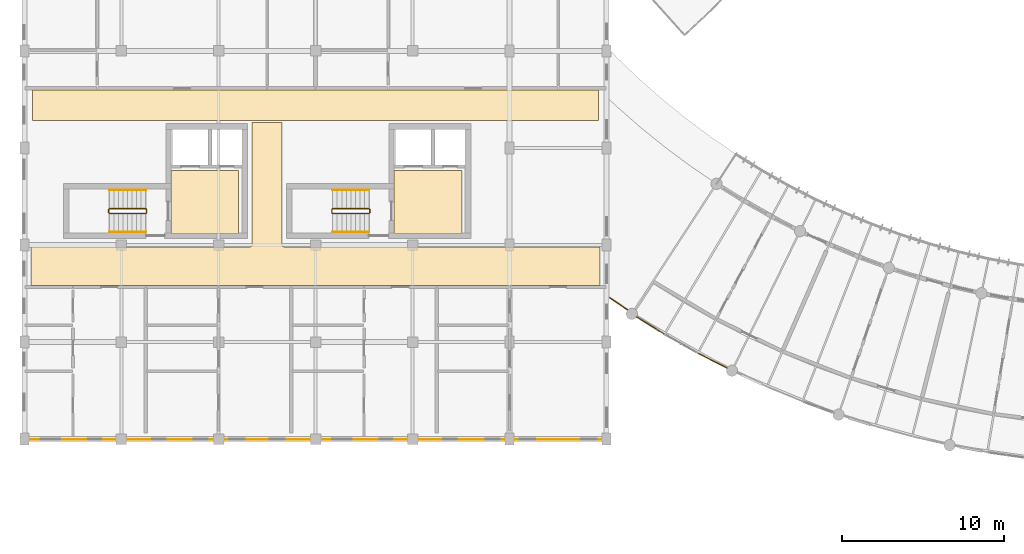
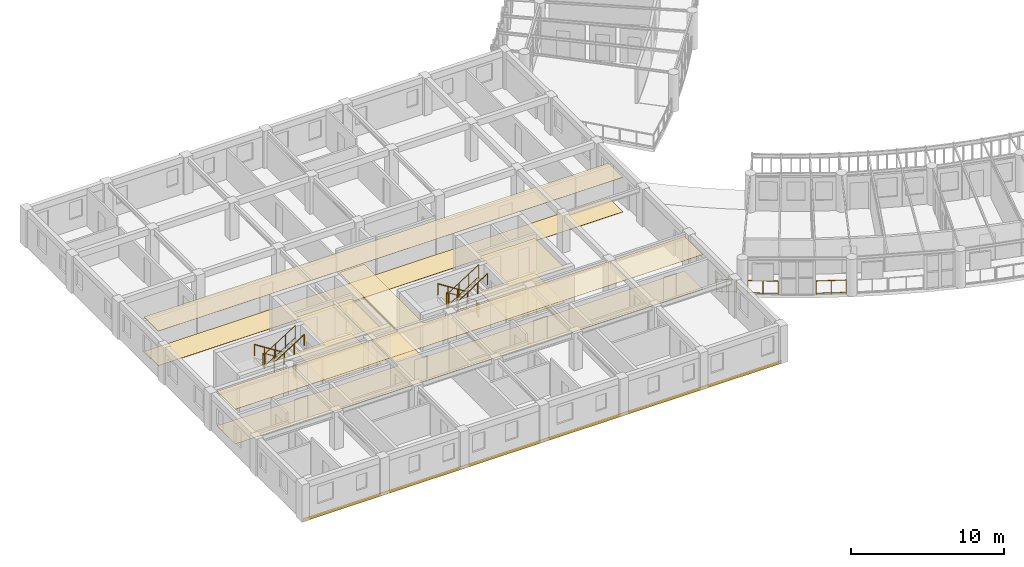
# One storey, part 88 of 100: 15 railings, 9 coverings.
"""IFC4 building model written with IfcOpenShell, lengths in metres."""

import ifcopenshell
import ifcopenshell.guid

model = None  # the IFC model being written
_history = None  # IfcOwnerHistory: only IFC2X3 demands one
_inside = {}  # id of a spatial element -> (the spatial element, [elements in it])
_under = {}  # id of a project, library or spatial element -> (it, [spatial elements below it])
_declared = {}  # id of a project -> (the project, [libraries it declares])
_typed = {}  # id of a type object -> (the type object, [elements of that type])
_made_of = {}  # id of a material, layer set ... -> (it, [elements and type objects made of it])


def new_model(schema):
    """Start an empty IFC model of exactly this schema.

    Asked for "IFC4X3", IfcOpenShell would pick the latest addendum, in which some entities
    have other attributes; the version numbers below select the first issue.
    IFC2X3 requires an IfcOwnerHistory on every rooted entity: one is made here for all.
    """
    global model, _history
    if schema == "IFC4X3":
        model = ifcopenshell.file(schema_version=(4, 3, 0, 0))
    else:
        model = ifcopenshell.file(schema=schema)
    _inside.clear()
    _under.clear()
    _declared.clear()
    _typed.clear()
    _made_of.clear()
    _history = None
    if model.schema == "IFC2X3":
        org = make("IfcOrganization", Name="unknown")
        user = make(
            "IfcPersonAndOrganization",
            ThePerson=make("IfcPerson", FamilyName="unknown"),
            TheOrganization=org,
        )
        app = make(
            "IfcApplication",
            ApplicationDeveloper=org,
            Version="unknown",
            ApplicationFullName="unknown",
            ApplicationIdentifier="unknown",
        )
        _history = make(
            "IfcOwnerHistory",
            OwningUser=user,
            OwningApplication=app,
            ChangeAction="ADDED",
            CreationDate=0,
        )
    return model


def make(cls, **values):
    """One entity of the class cls with the attributes given. An attribute that is None is left unset."""
    return model.create_entity(
        cls, **{name: value for name, value in values.items() if value is not None}
    )


def rooted(cls, **values):
    """An entity with a GlobalId (a new one), such as an element, a storey or a relation."""
    return make(cls, GlobalId=ifcopenshell.guid.new(), OwnerHistory=_history, **values)


def si_unit(unit_type, name, prefix=None):
    """IfcSIUnit, for example si_unit("LENGTHUNIT", "METRE", prefix="MILLI")."""
    return make("IfcSIUnit", UnitType=unit_type, Prefix=prefix, Name=name)


def assignment(units):
    """IfcUnitAssignment: the units of a project."""
    return None if units is None else make("IfcUnitAssignment", Units=units)


def point(xyz):
    """IfcCartesianPoint."""
    return None if xyz is None else make("IfcCartesianPoint", Coordinates=xyz)


def direction(xyz):
    """IfcDirection."""
    return None if xyz is None else make("IfcDirection", DirectionRatios=xyz)


def frame(location, z_axis=None, x_axis=None):
    """IfcAxis2Placement3D, a coordinate frame: its origin and axes. An axis left out is left unset."""
    return make(
        "IfcAxis2Placement3D",
        Location=point(location),
        Axis=direction(z_axis),
        RefDirection=direction(x_axis),
    )


def frame_2d(location, x_axis=None):
    """IfcAxis2Placement2D, a coordinate frame in the plane: its origin and x axis."""
    return make(
        "IfcAxis2Placement2D", Location=point(location), RefDirection=direction(x_axis)
    )


def origin():
    """The frame at (0, 0, 0) with its axes left unset."""
    return frame((0.0, 0.0, 0.0))


def origin_2d():
    """The frame at (0, 0) in the plane with its x axis left unset."""
    return frame_2d((0.0, 0.0))


def place(relative_to, where):
    """IfcLocalPlacement: puts the frame where relative to a parent placement (None: the world)."""
    return make(
        "IfcLocalPlacement", PlacementRelTo=relative_to, RelativePlacement=where
    )


def context(
    kind, dimensions, precision=None, world=None, true_north=None, identifier=None
):
    """IfcGeometricRepresentationContext, for example the 3D "Model" context."""
    return make(
        "IfcGeometricRepresentationContext",
        ContextIdentifier=identifier,
        ContextType=kind,
        CoordinateSpaceDimension=dimensions,
        Precision=precision,
        WorldCoordinateSystem=world,
        TrueNorth=true_north,
    )


def subcontext(parent, identifier, kind, view, scale=None):
    """IfcGeometricRepresentationSubContext, for example "Body" below "Model"."""
    return make(
        "IfcGeometricRepresentationSubContext",
        ContextIdentifier=identifier,
        ContextType=kind,
        ParentContext=parent,
        TargetScale=scale,
        TargetView=view,
    )


def project(units=None, contexts=None):
    """IfcProject with its units and contexts."""
    return rooted(
        "IfcProject",
        Name="project",
        RepresentationContexts=contexts,
        UnitsInContext=assignment(units),
    )


def spatial(cls, under=None, at=None, **own):
    """A site, building, storey or space (cls), placed at a placement, below another one or the project."""
    s = rooted(cls, ObjectPlacement=at, **own)
    if under is not None:
        _under.setdefault(under.id(), (under, []))[1].append(s)
    return s


def polyline(points):
    """IfcPolyline through the points."""
    return make("IfcPolyline", Points=[point(p) for p in points])


def profile(cls, at=None, kind="AREA", **sizes):
    """A parametric profile (cls). Its sizes go by their IFC names, for example OverallWidth=200.0."""
    return make(cls, ProfileType=kind, Position=at, **sizes)


def circle(**sizes):
    """IfcCircleProfileDef."""
    return profile("IfcCircleProfileDef", **sizes)


def outline(outer, holes=None, kind="AREA"):
    """IfcArbitraryClosedProfileDef: a profile drawn as a closed curve; with holes, ...WithVoids."""
    if holes is None:
        return make("IfcArbitraryClosedProfileDef", ProfileType=kind, OuterCurve=outer)
    return make(
        "IfcArbitraryProfileDefWithVoids",
        ProfileType=kind,
        OuterCurve=outer,
        InnerCurves=holes,
    )


def extrude(swept, where, along, depth):
    """IfcExtrudedAreaSolid: the profile swept, set in the frame where, extruded along a direction by depth."""
    return make(
        "IfcExtrudedAreaSolid",
        SweptArea=swept,
        Position=where,
        ExtrudedDirection=direction(along),
        Depth=depth,
    )


def shape(context_of_items, identifier, shape_type, items):
    """IfcShapeRepresentation: the items that make up one representation, for example the "Body"."""
    return make(
        "IfcShapeRepresentation",
        ContextOfItems=context_of_items,
        RepresentationIdentifier=identifier,
        RepresentationType=shape_type,
        Items=items,
    )


def material(Name=None, Category=None):
    """IfcMaterial."""
    return make("IfcMaterial", Name=Name, Category=Category)


def layer(
    of_material, thickness, ventilated=None, Name=None, Category=None, Priority=None
):
    """IfcMaterialLayer: one layer of a wall or slab, of a material (None: an air gap)."""
    return make(
        "IfcMaterialLayer",
        Material=of_material,
        LayerThickness=thickness,
        IsVentilated=ventilated,
        Name=Name,
        Category=Category,
        Priority=Priority,
    )


def layer_set(layers, Name=None):
    """IfcMaterialLayerSet."""
    return make("IfcMaterialLayerSet", MaterialLayers=layers, LayerSetName=Name)


def made_of(thing, what):
    """Note that an element or type object is made of a material, layer set ...; save() writes the relation."""
    if what is not None:
        _made_of.setdefault(what.id(), (what, []))[1].append(thing)
    return thing


def type_object(cls, material=None, **own):
    """A type object (cls), such as IfcWallType, which elements share."""
    return made_of(rooted(cls, **own), material)


def element(
    cls,
    number,
    at=None,
    inside=None,
    cuts=None,
    type_object=None,
    material=None,
    context=None,
    identifier="Body",
    shape_type=None,
    held_by="IfcProductDefinitionShape",
    body=None,
    shapes=None,
    **own,
):
    """One element of the class cls, such as IfcWall. Its Tag is "e" and its number.

    at: its placement. inside: the storey or other place that contains it. cuts: it is an
    opening in that element (IfcRelVoidsElement). A single representation is given by context,
    identifier, shape_type and body (its items); several are given by shapes. held_by: the class
    of the entity that holds the representations. save() writes the other relations.
    """
    e = rooted(cls, Tag="e%d" % number, ObjectPlacement=at, **own)
    if body is not None:
        shapes = [shape(context, identifier, shape_type, body)]
    if shapes is not None:
        e.Representation = make(held_by, Representations=shapes)
    if inside is not None:
        _inside.setdefault(inside.id(), (inside, []))[1].append(e)
    if cuts is not None:
        rooted(
            "IfcRelVoidsElement", RelatingBuildingElement=cuts, RelatedOpeningElement=e
        )
    if type_object is not None:
        _typed.setdefault(type_object.id(), (type_object, []))[1].append(e)
    return made_of(e, material)


def aggregate(whole, parts):
    """IfcRelAggregates: a whole, such as a stair, and the parts it consists of."""
    return rooted("IfcRelAggregates", RelatingObject=whole, RelatedObjects=parts)


def save(model, path):
    """Write the relations noted so far, then the file.

    IfcRelAggregates (storeys below a building ...), IfcRelContainedInSpatialStructure (elements
    in a storey), IfcRelDefinesByType, IfcRelAssociatesMaterial and IfcRelDeclares: one each for
    every whole, place, type object, material and project.
    """
    for whole, parts in _under.values():
        aggregate(whole, parts)
    for where, things in _inside.values():
        rooted(
            "IfcRelContainedInSpatialStructure",
            RelatedElements=things,
            RelatingStructure=where,
        )
    for kind, things in _typed.values():
        rooted("IfcRelDefinesByType", RelatedObjects=things, RelatingType=kind)
    for what, things in _made_of.values():
        rooted("IfcRelAssociatesMaterial", RelatedObjects=things, RelatingMaterial=what)
    for by, libraries in _declared.values():
        rooted("IfcRelDeclares", RelatingContext=by, RelatedDefinitions=libraries)
    model.write(path)


model = new_model("IFC4")

# Units and contexts
model_context = context("Model", 3, precision=1e-05, world=origin(), true_north=direction((0.0, 1.0)))
body_context = subcontext(model_context, "Body", "Model", "MODEL_VIEW")
ifc_project = project(units=[si_unit("LENGTHUNIT", "METRE"), si_unit("AREAUNIT", "SQUARE_METRE"), si_unit("VOLUMEUNIT", "CUBIC_METRE"), si_unit("PLANEANGLEUNIT", "RADIAN"), si_unit("MASSUNIT", "GRAM", prefix="KILO"), si_unit("POWERUNIT", "WATT"), si_unit("THERMODYNAMICTEMPERATUREUNIT", "KELVIN")], contexts=[model_context])

# Site, building, storey
site_placement = place(None, origin())
site = spatial("IfcSite", under=ifc_project, at=site_placement, CompositionType="ELEMENT")
building_placement = place(site_placement, origin())
building = spatial("IfcBuilding", under=site, at=building_placement, Name="Ruvembo Vaulted Housing Court", CompositionType="ELEMENT")
storey_placement = place(building_placement, frame((0.0, 0.0, 10.89990234375)))
storey = spatial("IfcBuildingStorey", under=building, at=storey_placement, Name="L03", CompositionType="ELEMENT", Elevation=10.89990234375)

# Coverings
ifc_material_1 = material(Name="Perforated Mineral-Fibre Acoustic Tile", Category="gypsum")
ifc_layer_1 = layer(ifc_material_1, 0.02001953125, Name="Perforated Mineral-Fibre Acoustic Tile")
ifc_layer_set_1 = layer_set([ifc_layer_1], Name="Perforated Mineral-Fibre Acoustic Tile")
covering_type_1 = type_object("IfcCoveringType", Name="COV-CEIL-ACOUST", PredefinedType="CEILING", material=ifc_layer_set_1)
covering_1_placement = place(storey_placement, frame((0.0, 0.0, 2.75)))
element("IfcCovering", 1, at=covering_1_placement, inside=storey, type_object=covering_type_1, Name="Firefighting Lift Lobby A1 Ceiling", PredefinedType="CEILING", context=body_context, shape_type="SweptSolid", body=[
    extrude(outline(polyline([(13.25, 22.60009765625), (9.050048828125, 22.60009765625), (9.050048828125, 18.699951171875), (13.25, 18.699951171875), (13.25, 22.60009765625)])), origin(), (0.0, 0.0, 1.0), 0.02001953125),
])
covering_2_placement = place(storey_placement, frame((0.0, 0.0, 2.75)))
element("IfcCovering", 2, at=covering_2_placement, inside=storey, type_object=covering_type_1, Name="Firefighting Lift Lobby A2 Ceiling", PredefinedType="CEILING", context=body_context, shape_type="SweptSolid", body=[
    extrude(outline(polyline([(27.050048828125, 22.60009765625), (22.85009765625, 22.60009765625), (22.85009765625, 18.699951171875), (27.050048828125, 18.699951171875), (27.050048828125, 22.60009765625)])), origin(), (0.0, 0.0, 1.0), 0.02001953125),
])
covering_3_placement = place(storey_placement, frame((0.0, 0.0, 2.75)))
element("IfcCovering", 3, at=covering_3_placement, inside=storey, type_object=covering_type_1, Name="Block A L03 Corridor Ceiling", PredefinedType="CEILING", context=body_context, shape_type="SweptSolid", body=[
    extrude(outline(polyline([(35.590087890625, 15.510009765625), (35.590087890625, 17.889892578125), (16.050048828125, 17.889892578125), (16.039306640625, 17.890380859375), (16.028564453125, 17.89208984375), (16.01806640625, 17.894775390625), (16.0078125, 17.8984375), (15.998046875, 17.903076171875), (15.989013671875, 17.908447265625), (15.980224609375, 17.9150390625), (15.97216796875, 17.922119140625), (15.965087890625, 17.93017578125), (15.95849609375, 17.93896484375), (15.952880859375, 17.947998046875), (15.948486328125, 17.9580078125), (15.944580078125, 17.968017578125), (15.942138671875, 17.978515625), (15.9404296875, 17.9892578125), (15.93994140625, 18.0), (15.93994140625, 25.590087890625), (14.06005859375, 25.590087890625), (14.06005859375, 18.0), (14.0595703125, 17.9892578125), (14.057861328125, 17.978515625), (14.055419921875, 17.968017578125), (14.051513671875, 17.9580078125), (14.047119140625, 17.947998046875), (14.04150390625, 17.93896484375), (14.034912109375, 17.93017578125), (14.02783203125, 17.922119140625), (14.019775390625, 17.9150390625), (14.010986328125, 17.908447265625), (14.001953125, 17.903076171875), (13.9921875, 17.8984375), (13.98193359375, 17.894775390625), (13.971435546875, 17.89208984375), (13.960693359375, 17.890380859375), (13.949951171875, 17.889892578125), (0.409912109375, 17.889892578125), (0.409912109375, 15.510009765625), (35.590087890625, 15.510009765625)])), origin(), (0.0, 0.0, 1.0), 0.02001953125),
])
covering_4_placement = place(storey_placement, frame((0.0, 0.0, 2.75)))
element("IfcCovering", 4, at=covering_4_placement, inside=storey, type_object=covering_type_1, Name="Block A L03 North Sub-Corridor Ceiling", PredefinedType="CEILING", context=body_context, shape_type="SweptSolid", body=[
    extrude(outline(polyline([(0.510009765625, 25.7099609375), (35.489990234375, 25.7099609375), (35.489990234375, 27.590087890625), (0.510009765625, 27.590087890625), (0.510009765625, 25.7099609375)])), origin(), (0.0, 0.0, 1.0), 0.02001953125),
])
ifc_material_2 = material(Name="Lime-Cement Mineral Render", Category="plaster")
ifc_layer_2 = layer(ifc_material_2, 0.02490234375, Name="Lime-Cement Mineral Render")
ifc_layer_set_2 = layer_set([ifc_layer_2], Name="Lime-Cement Mineral Render")
covering_type_2 = type_object("IfcCoveringType", Name="COV-CLAD-RENDER", PredefinedType="CLADDING", material=ifc_layer_set_2)
covering_5_placement = place(storey_placement, frame((0.0, 0.0, -0.25)))
element("IfcCovering", 5, at=covering_5_placement, inside=storey, type_object=covering_type_2, Name="Block A L03 Mineral Render Fascia Band", PredefinedType="CLADDING", context=body_context, shape_type="SweptSolid", body=[
    extrude(outline(polyline([(0.0, 5.969970703125), (36.0, 5.969970703125), (36.0, 6.0), (0.0, 6.0), (0.0, 5.969970703125)])), origin(), (0.0, 0.0, 1.0), 0.25),
])
ifc_material_3 = material(Name="Polished Cement-Aggregate Terrazzo", Category="stone")
ifc_layer_3 = layer(ifc_material_3, 0.02197265625, Name="Polished Cement-Aggregate Terrazzo")
ifc_layer_set_3 = layer_set([ifc_layer_3], Name="Polished Cement-Aggregate Terrazzo")
covering_type_3 = type_object("IfcCoveringType", Name="COV-FLR-CERAMIC", PredefinedType="FLOORING", material=ifc_layer_set_3)
covering_6_placement = place(storey_placement, origin())
element("IfcCovering", 6, at=covering_6_placement, inside=storey, type_object=covering_type_3, Name="Firefighting Lift Lobby A1 Flooring", PredefinedType="FLOORING", context=body_context, shape_type="SweptSolid", body=[
    extrude(outline(polyline([(13.25, 22.60009765625), (9.050048828125, 22.60009765625), (9.050048828125, 18.699951171875), (13.25, 18.699951171875), (13.25, 22.60009765625)])), origin(), (0.0, 0.0, 1.0), 0.022216796875),
])
covering_7_placement = place(storey_placement, origin())
element("IfcCovering", 7, at=covering_7_placement, inside=storey, type_object=covering_type_3, Name="Firefighting Lift Lobby A2 Flooring", PredefinedType="FLOORING", context=body_context, shape_type="SweptSolid", body=[
    extrude(outline(polyline([(27.050048828125, 22.60009765625), (22.85009765625, 22.60009765625), (22.85009765625, 18.699951171875), (27.050048828125, 18.699951171875), (27.050048828125, 22.60009765625)])), origin(), (0.0, 0.0, 1.0), 0.022216796875),
])
covering_8_placement = place(storey_placement, origin())
element("IfcCovering", 8, at=covering_8_placement, inside=storey, type_object=covering_type_3, Name="Block A L03 Corridor Flooring", PredefinedType="FLOORING", context=body_context, shape_type="SweptSolid", body=[
    extrude(outline(polyline([(35.590087890625, 15.510009765625), (35.590087890625, 17.889892578125), (16.050048828125, 17.889892578125), (16.039306640625, 17.890380859375), (16.028564453125, 17.89208984375), (16.01806640625, 17.894775390625), (16.0078125, 17.8984375), (15.998046875, 17.903076171875), (15.989013671875, 17.908447265625), (15.980224609375, 17.9150390625), (15.97216796875, 17.922119140625), (15.965087890625, 17.93017578125), (15.95849609375, 17.93896484375), (15.952880859375, 17.947998046875), (15.948486328125, 17.9580078125), (15.944580078125, 17.968017578125), (15.942138671875, 17.978515625), (15.9404296875, 17.9892578125), (15.93994140625, 18.0), (15.93994140625, 25.590087890625), (14.06005859375, 25.590087890625), (14.06005859375, 18.0), (14.0595703125, 17.9892578125), (14.057861328125, 17.978515625), (14.055419921875, 17.968017578125), (14.051513671875, 17.9580078125), (14.047119140625, 17.947998046875), (14.04150390625, 17.93896484375), (14.034912109375, 17.93017578125), (14.02783203125, 17.922119140625), (14.019775390625, 17.9150390625), (14.010986328125, 17.908447265625), (14.001953125, 17.903076171875), (13.9921875, 17.8984375), (13.98193359375, 17.894775390625), (13.971435546875, 17.89208984375), (13.960693359375, 17.890380859375), (13.949951171875, 17.889892578125), (0.409912109375, 17.889892578125), (0.409912109375, 15.510009765625), (35.590087890625, 15.510009765625)])), origin(), (0.0, 0.0, 1.0), 0.022216796875),
])
covering_9_placement = place(storey_placement, origin())
element("IfcCovering", 9, at=covering_9_placement, inside=storey, type_object=covering_type_3, Name="Block A L03 North Sub-Corridor Flooring", PredefinedType="FLOORING", context=body_context, shape_type="SweptSolid", body=[
    extrude(outline(polyline([(0.510009765625, 25.7099609375), (35.489990234375, 25.7099609375), (35.489990234375, 27.590087890625), (0.510009765625, 27.590087890625), (0.510009765625, 25.7099609375)])), origin(), (0.0, 0.0, 1.0), 0.022216796875),
])

# Railings
ifc_material_4 = material(Name="Galvanised Painted Steel and Laminated Glass", Category="steel")
ifc_layer_4 = layer(ifc_material_4, 0.070068359375, Name="Galvanised Painted Steel and Laminated Glass")
ifc_layer_set_4 = layer_set([ifc_layer_4], Name="Galvanised Painted Steel and Laminated Glass")
railing_type_1 = type_object("IfcRailingType", Name="RL-BALUST-1120", PredefinedType="BALUSTRADE", material=ifc_layer_set_4)
railing_1_placement = place(storey_placement, frame((37.849365234375, 13.557373046875, 0.0)))
element("IfcRailing", 10, at=railing_1_placement, inside=storey, type_object=railing_type_1, Name="L03 Perimeter Guard RL-EXT-L03-0370", PredefinedType="BALUSTRADE", context=body_context, shape_type="SweptSolid", body=[
    extrude(circle(Radius=0.02392578125, at=origin_2d()), frame((0.0, 0.0, 1.09619140625), z_axis=(0.848906322391, -0.528543333895, 0.0), x_axis=(0.528543333895, 0.848906322391, 0.0)), (0.0, 0.0, 1.0), 1.97607421875),
    extrude(circle(Radius=0.01806640625, at=origin_2d()), frame((0.0, 0.0, 0.1201171875), z_axis=(0.848906322391, -0.528543333895, 0.0), x_axis=(0.528543333895, 0.848906322391, 0.0)), (0.0, 0.0, 1.0), 1.97607421875),
    extrude(circle(Radius=0.02099609375, at=origin_2d()), origin(), (0.0, 0.0, 1.0), 1.072021484375),
    extrude(circle(Radius=0.02099609375, at=origin_2d()), frame((0.8388671875, -0.522216796875, 0.0)), (0.0, 0.0, 1.0), 1.072021484375),
    extrude(circle(Radius=0.02099609375, at=origin_2d()), frame((1.677490234375, -1.04443359375, 0.0)), (0.0, 0.0, 1.0), 1.072021484375),
])
railing_2_placement = place(storey_placement, frame((41.6806640625, 11.2919921875, 0.0)))
element("IfcRailing", 11, at=railing_2_placement, inside=storey, type_object=railing_type_1, Name="L03 Perimeter Guard RL-EXT-L03-0371", PredefinedType="BALUSTRADE", context=body_context, shape_type="SweptSolid", body=[
    extrude(circle(Radius=0.02392578125, at=origin_2d()), frame((0.0, 0.0, 1.09619140625), z_axis=(0.88958194402, -0.456775617644, 0.0), x_axis=(0.456775617644, 0.88958194402, 0.0)), (0.0, 0.0, 1.0), 1.97607421875),
    extrude(circle(Radius=0.01806640625, at=origin_2d()), frame((0.0, 0.0, 0.1201171875), z_axis=(0.88958194402, -0.456775617644, 0.0), x_axis=(0.456775617644, 0.88958194402, 0.0)), (0.0, 0.0, 1.0), 1.97607421875),
    extrude(circle(Radius=0.02099609375, at=origin_2d()), origin(), (0.0, 0.0, 1.0), 1.072021484375),
    extrude(circle(Radius=0.02099609375, at=origin_2d()), frame((0.87890625, -0.451171875, 0.0)), (0.0, 0.0, 1.0), 1.072021484375),
    extrude(circle(Radius=0.02099609375, at=origin_2d()), frame((1.7578125, -0.902587890625, 0.0)), (0.0, 0.0, 1.0), 1.072021484375),
])
ifc_material_5 = material(Name="Galvanised Painted Steel S275", Category="steel")
ifc_layer_5 = layer(ifc_material_5, 0.06005859375, Name="Galvanised Painted Steel S275")
ifc_layer_set_5 = layer_set([ifc_layer_5], Name="Galvanised Painted Steel S275")
railing_type_2 = type_object("IfcRailingType", Name="RL-GUARD-1100", PredefinedType="GUARDRAIL", material=ifc_layer_set_5)
railing_3_placement = place(storey_placement, frame((37.280517578125, 14.000244140625, 0.0)))
element("IfcRailing", 12, at=railing_3_placement, inside=storey, type_object=railing_type_2, Name="L03 Perimeter Guard RL-EXT-L03-0912", PredefinedType="GUARDRAIL", context=body_context, shape_type="SweptSolid", body=[
    extrude(circle(Radius=0.02392578125, at=origin_2d()), frame((0.0, 0.0, 1.076171875), z_axis=(-0.826420361982, 0.5630536256, 0.0), x_axis=(-0.5630536256, -0.826420361982, 0.0)), (0.0, 0.0, 1.0), 1.337646484375),
    extrude(circle(Radius=0.01806640625, at=origin_2d()), frame((0.0, 0.0, 0.1201171875), z_axis=(-0.826420361982, 0.5630536256, 0.0), x_axis=(-0.5630536256, -0.826420361982, 0.0)), (0.0, 0.0, 1.0), 1.337646484375),
    extrude(circle(Radius=0.02099609375, at=origin_2d()), origin(), (0.0, 0.0, 1.0), 1.052001953125),
    extrude(circle(Radius=0.02099609375, at=origin_2d()), frame((-0.552734375, 0.37646484375, 0.0)), (0.0, 0.0, 1.0), 1.052001953125),
    extrude(circle(Radius=0.02099609375, at=origin_2d()), frame((-1.10546875, 0.753173828125, 0.0)), (0.0, 0.0, 1.0), 1.052001953125),
])
ifc_material_6 = material(Name="Painted Galvanised Steel S275", Category="steel")
ifc_layer_6 = layer(ifc_material_6, 0.06005859375, Name="Painted Galvanised Steel S275")
ifc_layer_set_6 = layer_set([ifc_layer_6], Name="Painted Galvanised Steel S275")
railing_type_3 = type_object("IfcRailingType", Name="RL-STAIR-GR1100", PredefinedType="GUARDRAIL", material=ifc_layer_set_6)
railing_4_placement = place(storey_placement, frame((7.5, 20.25, 0.177978515625)))
element("IfcRailing", 13, at=railing_4_placement, inside=storey, type_object=railing_type_3, Name="L03 ST-A1 stair guard 1", PredefinedType="GUARDRAIL", context=body_context, shape_type="SweptSolid", body=[
    extrude(circle(Radius=0.02392578125, at=origin_2d()), frame((0.0, 0.0, 1.076171875), z_axis=(-0.8442293374, 0.0, 0.53598211339), x_axis=(0.0, -1.0, 0.0)), (0.0, 0.0, 1.0), 2.6533203125),
    extrude(circle(Radius=0.01806640625, at=origin_2d()), frame((0.0, 0.0, 0.1201171875), z_axis=(-0.8442293374, 0.0, 0.53598211339), x_axis=(0.0, -1.0, 0.0)), (0.0, 0.0, 1.0), 2.6533203125),
    extrude(circle(Radius=0.02099609375, at=origin_2d()), origin(), (0.0, 0.0, 1.0), 1.052001953125),
    extrude(circle(Radius=0.02099609375, at=origin_2d()), frame((-0.74658203125, 0.0, 0.47412109375)), (0.0, 0.0, 1.0), 1.052001953125),
    extrude(circle(Radius=0.02099609375, at=origin_2d()), frame((-1.493408203125, 0.0, 0.947998046875)), (0.0, 0.0, 1.0), 1.052001953125),
    extrude(circle(Radius=0.02099609375, at=origin_2d()), frame((-2.239990234375, 0.0, 1.422119140625)), (0.0, 0.0, 1.0), 1.052001953125),
])
railing_5_placement = place(storey_placement, frame((5.2099609375, 20.199951171875, 1.60009765625)))
element("IfcRailing", 14, at=railing_5_placement, inside=storey, type_object=railing_type_3, Name="L03 ST-A1 stair guard 2", PredefinedType="GUARDRAIL", context=body_context, shape_type="SweptSolid", body=[
    extrude(circle(Radius=0.02392578125, at=origin_2d()), frame((0.0, 0.0, 1.076171875), z_axis=(0.0, -1.0, 0.0), x_axis=(1.0, 0.0, 0.0)), (0.0, 0.0, 1.0), 0.199951171875),
    extrude(circle(Radius=0.01806640625, at=origin_2d()), frame((0.0, 0.0, 0.1201171875), z_axis=(0.0, -1.0, 0.0), x_axis=(1.0, 0.0, 0.0)), (0.0, 0.0, 1.0), 0.199951171875),
    extrude(circle(Radius=0.02099609375, at=origin_2d()), origin(), (0.0, 0.0, 1.0), 1.052001953125),
    extrude(circle(Radius=0.02099609375, at=origin_2d()), frame((0.0, -0.199951171875, 0.0)), (0.0, 0.0, 1.0), 1.052001953125),
])
railing_6_placement = place(storey_placement, frame((5.260009765625, 19.949951171875, 1.77783203125)))
element("IfcRailing", 15, at=railing_6_placement, inside=storey, type_object=railing_type_3, Name="L03 ST-A1 stair guard 3", PredefinedType="GUARDRAIL", context=body_context, shape_type="SweptSolid", body=[
    extrude(circle(Radius=0.02392578125, at=origin_2d()), frame((0.0, 0.0, 1.076171875), z_axis=(0.84418770128, 0.0, 0.536047689118), x_axis=(0.0, 1.0, 0.0)), (0.0, 0.0, 1.0), 2.6533203125),
    extrude(circle(Radius=0.01806640625, at=origin_2d()), frame((0.0, 0.0, 0.1201171875), z_axis=(0.84418770128, 0.0, 0.536047689118), x_axis=(0.0, 1.0, 0.0)), (0.0, 0.0, 1.0), 2.6533203125),
    extrude(circle(Radius=0.02099609375, at=origin_2d()), origin(), (0.0, 0.0, 1.0), 1.052001953125),
    extrude(circle(Radius=0.02099609375, at=origin_2d()), frame((0.74658203125, 0.0, 0.47412109375)), (0.0, 0.0, 1.0), 1.052001953125),
    extrude(circle(Radius=0.02099609375, at=origin_2d()), frame((1.493408203125, 0.0, 0.9482421875)), (0.0, 0.0, 1.0), 1.052001953125),
    extrude(circle(Radius=0.02099609375, at=origin_2d()), frame((2.239990234375, 0.0, 1.42236328125)), (0.0, 0.0, 1.0), 1.052001953125),
])
railing_7_placement = place(storey_placement, frame((7.550048828125, 20.199951171875, 0.0)))
element("IfcRailing", 16, at=railing_7_placement, inside=storey, type_object=railing_type_3, Name="L03 ST-A1 stair guard 4", PredefinedType="GUARDRAIL", context=body_context, shape_type="SweptSolid", body=[
    extrude(circle(Radius=0.02392578125, at=origin_2d()), frame((0.0, 0.0, 1.076171875), z_axis=(0.0, -1.0, 0.0), x_axis=(1.0, 0.0, 0.0)), (0.0, 0.0, 1.0), 0.199951171875),
    extrude(circle(Radius=0.01806640625, at=origin_2d()), frame((0.0, 0.0, 0.1201171875), z_axis=(0.0, -1.0, 0.0), x_axis=(1.0, 0.0, 0.0)), (0.0, 0.0, 1.0), 0.199951171875),
    extrude(circle(Radius=0.02099609375, at=origin_2d()), origin(), (0.0, 0.0, 1.0), 1.052001953125),
    extrude(circle(Radius=0.02099609375, at=origin_2d()), frame((0.0, -0.199951171875, 0.0)), (0.0, 0.0, 1.0), 1.052001953125),
])
railing_8_placement = place(storey_placement, frame((21.300048828125, 20.25, 0.177978515625)))
element("IfcRailing", 17, at=railing_8_placement, inside=storey, type_object=railing_type_3, Name="L03 ST-A2 stair guard 1", PredefinedType="GUARDRAIL", context=body_context, shape_type="SweptSolid", body=[
    extrude(circle(Radius=0.02392578125, at=origin_2d()), frame((0.0, 0.0, 1.076171875), z_axis=(-0.8442293374, 0.0, 0.53598211339), x_axis=(0.0, -1.0, 0.0)), (0.0, 0.0, 1.0), 2.6533203125),
    extrude(circle(Radius=0.01806640625, at=origin_2d()), frame((0.0, 0.0, 0.1201171875), z_axis=(-0.8442293374, 0.0, 0.53598211339), x_axis=(0.0, -1.0, 0.0)), (0.0, 0.0, 1.0), 2.6533203125),
    extrude(circle(Radius=0.02099609375, at=origin_2d()), origin(), (0.0, 0.0, 1.0), 1.052001953125),
    extrude(circle(Radius=0.02099609375, at=origin_2d()), frame((-0.74658203125, 0.0, 0.47412109375)), (0.0, 0.0, 1.0), 1.052001953125),
    extrude(circle(Radius=0.02099609375, at=origin_2d()), frame((-1.493408203125, 0.0, 0.947998046875)), (0.0, 0.0, 1.0), 1.052001953125),
    extrude(circle(Radius=0.02099609375, at=origin_2d()), frame((-2.239990234375, 0.0, 1.422119140625)), (0.0, 0.0, 1.0), 1.052001953125),
])
railing_9_placement = place(storey_placement, frame((19.010009765625, 20.199951171875, 1.60009765625)))
element("IfcRailing", 18, at=railing_9_placement, inside=storey, type_object=railing_type_3, Name="L03 ST-A2 stair guard 2", PredefinedType="GUARDRAIL", context=body_context, shape_type="SweptSolid", body=[
    extrude(circle(Radius=0.02392578125, at=origin_2d()), frame((0.0, 0.0, 1.076171875), z_axis=(0.0, -1.0, 0.0), x_axis=(1.0, 0.0, 0.0)), (0.0, 0.0, 1.0), 0.199951171875),
    extrude(circle(Radius=0.01806640625, at=origin_2d()), frame((0.0, 0.0, 0.1201171875), z_axis=(0.0, -1.0, 0.0), x_axis=(1.0, 0.0, 0.0)), (0.0, 0.0, 1.0), 0.199951171875),
    extrude(circle(Radius=0.02099609375, at=origin_2d()), origin(), (0.0, 0.0, 1.0), 1.052001953125),
    extrude(circle(Radius=0.02099609375, at=origin_2d()), frame((0.0, -0.199951171875, 0.0)), (0.0, 0.0, 1.0), 1.052001953125),
])
railing_10_placement = place(storey_placement, frame((19.06005859375, 19.949951171875, 1.77783203125)))
element("IfcRailing", 19, at=railing_10_placement, inside=storey, type_object=railing_type_3, Name="L03 ST-A2 stair guard 3", PredefinedType="GUARDRAIL", context=body_context, shape_type="SweptSolid", body=[
    extrude(circle(Radius=0.02392578125, at=origin_2d()), frame((0.0, 0.0, 1.076171875), z_axis=(0.84418770128, 0.0, 0.536047689118), x_axis=(0.0, 1.0, 0.0)), (0.0, 0.0, 1.0), 2.6533203125),
    extrude(circle(Radius=0.01806640625, at=origin_2d()), frame((0.0, 0.0, 0.1201171875), z_axis=(0.84418770128, 0.0, 0.536047689118), x_axis=(0.0, 1.0, 0.0)), (0.0, 0.0, 1.0), 2.6533203125),
    extrude(circle(Radius=0.02099609375, at=origin_2d()), origin(), (0.0, 0.0, 1.0), 1.052001953125),
    extrude(circle(Radius=0.02099609375, at=origin_2d()), frame((0.74658203125, 0.0, 0.47412109375)), (0.0, 0.0, 1.0), 1.052001953125),
    extrude(circle(Radius=0.02099609375, at=origin_2d()), frame((1.493408203125, 0.0, 0.9482421875)), (0.0, 0.0, 1.0), 1.052001953125),
    extrude(circle(Radius=0.02099609375, at=origin_2d()), frame((2.239990234375, 0.0, 1.42236328125)), (0.0, 0.0, 1.0), 1.052001953125),
])
railing_11_placement = place(storey_placement, frame((21.35009765625, 20.199951171875, 0.0)))
element("IfcRailing", 20, at=railing_11_placement, inside=storey, type_object=railing_type_3, Name="L03 ST-A2 stair guard 4", PredefinedType="GUARDRAIL", context=body_context, shape_type="SweptSolid", body=[
    extrude(circle(Radius=0.02392578125, at=origin_2d()), frame((0.0, 0.0, 1.076171875), z_axis=(0.0, -1.0, 0.0), x_axis=(1.0, 0.0, 0.0)), (0.0, 0.0, 1.0), 0.199951171875),
    extrude(circle(Radius=0.01806640625, at=origin_2d()), frame((0.0, 0.0, 0.1201171875), z_axis=(0.0, -1.0, 0.0), x_axis=(1.0, 0.0, 0.0)), (0.0, 0.0, 1.0), 0.199951171875),
    extrude(circle(Radius=0.02099609375, at=origin_2d()), origin(), (0.0, 0.0, 1.0), 1.052001953125),
    extrude(circle(Radius=0.02099609375, at=origin_2d()), frame((0.0, -0.199951171875, 0.0)), (0.0, 0.0, 1.0), 1.052001953125),
])
ifc_material_7 = material(Name="Brushed Stainless Steel 304", Category="steel")
ifc_layer_7 = layer(ifc_material_7, 0.050048828125, Name="Brushed Stainless Steel 304")
ifc_layer_set_7 = layer_set([ifc_layer_7], Name="Brushed Stainless Steel 304")
railing_type_4 = type_object("IfcRailingType", Name="RL-STAIR-HR920", PredefinedType="HANDRAIL", material=ifc_layer_set_7)
railing_12_placement = place(storey_placement, frame((7.5, 21.39990234375, 0.359375)))
element("IfcRailing", 21, at=railing_12_placement, inside=storey, type_object=railing_type_4, Name="L03 ST-A1 stair handrail 1", PredefinedType="HANDRAIL", context=body_context, shape_type="SweptSolid", body=[
    extrude(circle(Radius=0.02392578125, at=origin_2d()), frame((0.0, 0.0, 0.8759765625), z_axis=(-0.8442293374, 0.0, 0.53598211339), x_axis=(0.0, -1.0, 0.0)), (0.0, 0.0, 1.0), 2.6533203125),
    extrude(circle(Radius=0.02099609375, at=origin_2d()), origin(), (0.0, 0.0, 1.0), 0.851806640625),
    extrude(circle(Radius=0.02099609375, at=origin_2d()), frame((-0.74658203125, 0.0, 0.47412109375)), (0.0, 0.0, 1.0), 0.851806640625),
    extrude(circle(Radius=0.02099609375, at=origin_2d()), frame((-1.493408203125, 0.0, 0.947998046875)), (0.0, 0.0, 1.0), 0.851806640625),
    extrude(circle(Radius=0.02099609375, at=origin_2d()), frame((-2.239990234375, 0.0, 1.422119140625)), (0.0, 0.0, 1.0), 0.851806640625),
])
railing_13_placement = place(storey_placement, frame((5.260009765625, 18.800048828125, 1.95947265625)))
element("IfcRailing", 22, at=railing_13_placement, inside=storey, type_object=railing_type_4, Name="L03 ST-A1 stair handrail 2", PredefinedType="HANDRAIL", context=body_context, shape_type="SweptSolid", body=[
    extrude(circle(Radius=0.02392578125, at=origin_2d()), frame((0.0, 0.0, 0.8759765625), z_axis=(0.8442293374, 0.0, 0.53598211339), x_axis=(0.0, 1.0, 0.0)), (0.0, 0.0, 1.0), 2.6533203125),
    extrude(circle(Radius=0.02099609375, at=origin_2d()), origin(), (0.0, 0.0, 1.0), 0.851806640625),
    extrude(circle(Radius=0.02099609375, at=origin_2d()), frame((0.74658203125, 0.0, 0.47412109375)), (0.0, 0.0, 1.0), 0.851806640625),
    extrude(circle(Radius=0.02099609375, at=origin_2d()), frame((1.493408203125, 0.0, 0.947998046875)), (0.0, 0.0, 1.0), 0.851806640625),
    extrude(circle(Radius=0.02099609375, at=origin_2d()), frame((2.239990234375, 0.0, 1.422119140625)), (0.0, 0.0, 1.0), 0.851806640625),
])
railing_14_placement = place(storey_placement, frame((21.300048828125, 21.39990234375, 0.359375)))
element("IfcRailing", 23, at=railing_14_placement, inside=storey, type_object=railing_type_4, Name="L03 ST-A2 stair handrail 1", PredefinedType="HANDRAIL", context=body_context, shape_type="SweptSolid", body=[
    extrude(circle(Radius=0.02392578125, at=origin_2d()), frame((0.0, 0.0, 0.8759765625), z_axis=(-0.8442293374, 0.0, 0.53598211339), x_axis=(0.0, -1.0, 0.0)), (0.0, 0.0, 1.0), 2.6533203125),
    extrude(circle(Radius=0.02099609375, at=origin_2d()), origin(), (0.0, 0.0, 1.0), 0.851806640625),
    extrude(circle(Radius=0.02099609375, at=origin_2d()), frame((-0.74658203125, 0.0, 0.47412109375)), (0.0, 0.0, 1.0), 0.851806640625),
    extrude(circle(Radius=0.02099609375, at=origin_2d()), frame((-1.493408203125, 0.0, 0.947998046875)), (0.0, 0.0, 1.0), 0.851806640625),
    extrude(circle(Radius=0.02099609375, at=origin_2d()), frame((-2.239990234375, 0.0, 1.422119140625)), (0.0, 0.0, 1.0), 0.851806640625),
])
railing_15_placement = place(storey_placement, frame((19.06005859375, 18.800048828125, 1.95947265625)))
element("IfcRailing", 24, at=railing_15_placement, inside=storey, type_object=railing_type_4, Name="L03 ST-A2 stair handrail 2", PredefinedType="HANDRAIL", context=body_context, shape_type="SweptSolid", body=[
    extrude(circle(Radius=0.02392578125, at=origin_2d()), frame((0.0, 0.0, 0.8759765625), z_axis=(0.8442293374, 0.0, 0.53598211339), x_axis=(0.0, 1.0, 0.0)), (0.0, 0.0, 1.0), 2.6533203125),
    extrude(circle(Radius=0.02099609375, at=origin_2d()), origin(), (0.0, 0.0, 1.0), 0.851806640625),
    extrude(circle(Radius=0.02099609375, at=origin_2d()), frame((0.74658203125, 0.0, 0.47412109375)), (0.0, 0.0, 1.0), 0.851806640625),
    extrude(circle(Radius=0.02099609375, at=origin_2d()), frame((1.493408203125, 0.0, 0.947998046875)), (0.0, 0.0, 1.0), 0.851806640625),
    extrude(circle(Radius=0.02099609375, at=origin_2d()), frame((2.239990234375, 0.0, 1.422119140625)), (0.0, 0.0, 1.0), 0.851806640625),
])

save(model, "model.ifc")
